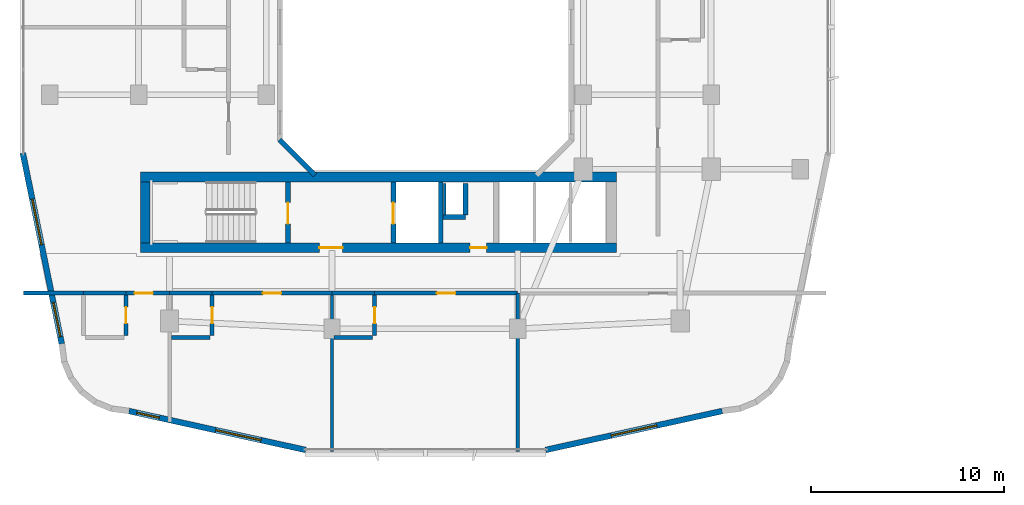
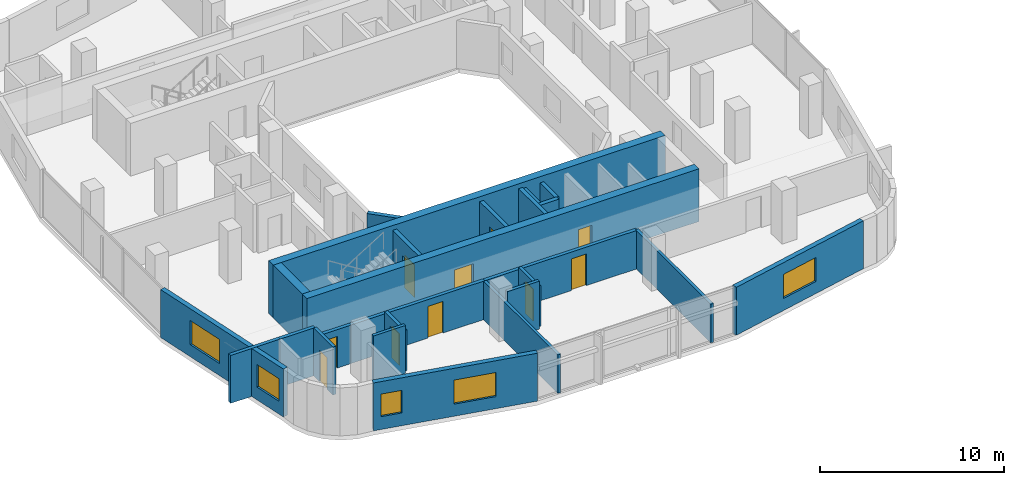
# One storey, part 12 of 25: 27 walls, 10 doors, 5 windows, 15 openings.
"""IFC4 building model written with IfcOpenShell, lengths in metres."""

from ifc_helpers import new_model, si_unit, derived_unit, direction, frame, frame_2d, origin, place, context, subcontext, project, spatial, rectangle, extrude, material, layer, layer_set, type_object, element, fill, save


model = new_model("IFC4")

# Units and contexts
model_context = context("Model", 3, precision=1e-05, world=origin(), true_north=direction((0.0, 1.0)))
body_context = subcontext(model_context, "Body", "Model", "MODEL_VIEW")
ifc_project = project(units=[si_unit("LENGTHUNIT", "METRE"), si_unit("AREAUNIT", "SQUARE_METRE"), si_unit("VOLUMEUNIT", "CUBIC_METRE"), si_unit("PLANEANGLEUNIT", "RADIAN"), si_unit("MASSUNIT", "GRAM", prefix="KILO"), derived_unit("THERMALTRANSMITTANCEUNIT", [(si_unit("POWERUNIT", "WATT"), 1), (si_unit("LENGTHUNIT", "METRE"), -2), (si_unit("THERMODYNAMICTEMPERATUREUNIT", "KELVIN"), -1)])], contexts=[model_context])

# Site, building, storey
site_placement = place(None, origin())
site = spatial("IfcSite", under=ifc_project, at=site_placement, CompositionType="ELEMENT")
building_placement = place(site_placement, origin())
building = spatial("IfcBuilding", under=site, at=building_placement, Name="Kivonza Crest Hotel", CompositionType="ELEMENT")
storey_placement = place(building_placement, frame((0.0, 0.0, 87.0)))
storey = spatial("IfcBuildingStorey", under=building, at=storey_placement, Name="L23", CompositionType="ELEMENT", Elevation=87.0)

# Walls
ifc_material_1 = material(Name="High-density acoustic masonry inter-tenancy wall", Category="masonry")
ifc_layer_1 = layer(ifc_material_1, 0.179931640625)
ifc_layer_set_1 = layer_set([ifc_layer_1], Name="High-density acoustic masonry inter-tenancy wall")
wall_type_1 = type_object("IfcWallType", Name="WL-ACOU-180", PredefinedType="SOLIDWALL", material=ifc_layer_set_1)
for number, where, z_axis, x_axis, name in (
    (1, (16.199951171875, 3.06005859375, 0.0), (0.0, 0.0, 1.0), (0.0, 1.0, 0.0), "L23 interior partition WA-L23-T1S-DIV2"),
    (2, (25.800048828125, 3.06005859375, 0.0), (0.0, 0.0, 1.0), (0.0, 1.0, 0.0), "L23 interior partition WA-L23-T1S-DIV3"),
):
    element("IfcWall", number, at=place(storey_placement, frame(where, z_axis=z_axis, x_axis=x_axis)), inside=storey, type_object=wall_type_1, Name=name, PredefinedType="SOLIDWALL", context=body_context, shape_type="SweptSolid", body=[
        extrude(rectangle(XDim=8.18994140625, YDim=0.179931640625, at=frame_2d((4.094970703125, 0.0))), origin(), (0.0, 0.0, 1.0), 2.554931640625),
    ])
ifc_material_2 = material(Name="Autoclaved aerated concrete blockwork", Category="masonry")
ifc_layer_2 = layer(ifc_material_2, 0.219970703125)
ifc_layer_set_2 = layer_set([ifc_layer_2], Name="Autoclaved aerated concrete blockwork")
wall_type_2 = type_object("IfcWallType", Name="WL-ACOU-220", PredefinedType="SOLIDWALL", material=ifc_layer_set_2)
wall_1_placement = place(storey_placement, frame((0.239990234375, 11.25, 0.0), z_axis=(0.0, 0.0, 1.0), x_axis=(1.0, 0.0, 0.0)))
element("IfcWall", 3, at=wall_1_placement, inside=storey, type_object=wall_type_2, Name="L23 interior partition WA-L23-S03-XCORR", PredefinedType="SOLIDWALL", context=body_context, shape_type="SweptSolid", body=[
    extrude(rectangle(XDim=3.110107421875, YDim=0.219970703125, at=frame_2d((1.55517578125, 0.0))), origin(), (0.0, 0.0, 1.0), 3.179931640625),
])
wall_2_placement = place(storey_placement, frame((3.35009765625, 11.25, 0.0), z_axis=(0.0, 0.0, 1.0), x_axis=(1.0, 0.0, 0.0)))
element("IfcWall", 4, at=wall_2_placement, inside=storey, type_object=wall_type_2, Name="L23 interior partition WA-L23-S03-BCORR", PredefinedType="SOLIDWALL", context=body_context, shape_type="SweptSolid", body=[
    extrude(rectangle(XDim=2.199951171875, YDim=0.219970703125, at=frame_2d((1.10009765625, 0.0))), origin(), (0.0, 0.0, 1.0), 3.179931640625),
])

# Wall, opening, door
wall_3_placement = place(storey_placement, frame((5.550048828125, 11.25, 0.0), z_axis=(0.0, 0.0, 1.0), x_axis=(1.0, 0.0, 0.0)))
wall_3 = element("IfcWall", 5, at=wall_3_placement, inside=storey, type_object=wall_type_2, Name="L23 interior partition WA-L23-S03-MCORR", PredefinedType="SOLIDWALL", context=body_context, shape_type="SweptSolid", body=[
    extrude(rectangle(XDim=2.25, YDim=0.219970703125, at=frame_2d((1.125, 0.0))), origin(), (0.0, 0.0, 1.0), 2.554931640625),
])
opening_1_placement = place(wall_3_placement, frame((0.43994140625, 0.0, 0.0)))
opening_1 = element("IfcOpeningElement", 6, at=opening_1_placement, cuts=wall_3, Name="Opening DU-60", PredefinedType="OPENING", context=body_context, shape_type="SweptSolid", body=[
    extrude(rectangle(XDim=0.949951171875, YDim=2.10009765625, at=frame_2d((0.47509765625, 1.050048828125))), frame((0.0, 0.1201171875, 0.0), z_axis=(0.0, -1.0, 0.0), x_axis=(1.0, 0.0, 0.0)), (0.0, 0.0, 1.0), 0.239990234375),
])
ifc_material_3 = material(Name="Hardwood timber oak", Category="wood")
door_type_1 = type_object("IfcDoorType", Name="DR-UNIT-950", OperationType="NOTDEFINED", PredefinedType="DOOR", material=ifc_material_3)
door_1_placement = place(opening_1_placement, frame((0.949951171875, 0.0, 0.0), z_axis=(0.0, 0.0, 1.0), x_axis=(-1.0, 0.0, 0.0)))
door_1 = element("IfcDoor", 7, at=door_1_placement, inside=storey, type_object=door_type_1, Name="L23 S03 guest unit entrance fire door", OperationType="SINGLE_SWING_LEFT", OverallHeight=2.10009765625, OverallWidth=0.949951171875, PredefinedType="DOOR", context=body_context, shape_type="SweptSolid", body=[
    extrude(rectangle(XDim=0.949951171875, YDim=2.10009765625, at=frame_2d((0.47509765625, 1.050048828125))), frame((0.0, 0.02490234375, 0.0), z_axis=(0.0, -1.0, 0.0), x_axis=(1.0, 0.0, 0.0)), (0.0, 0.0, 1.0), 0.050048828125),
])
fill(opening_1, door_1)

# Wall
wall_4_placement = place(storey_placement, frame((7.800048828125, 11.25, 0.0), z_axis=(0.0, 0.0, 1.0), x_axis=(1.0, 0.0, 0.0)))
element("IfcWall", 8, at=wall_4_placement, inside=storey, type_object=wall_type_2, Name="L23 interior partition WA-L23-S04-BCORR", PredefinedType="SOLIDWALL", context=body_context, shape_type="SweptSolid", body=[
    extrude(rectangle(XDim=2.199951171875, YDim=0.219970703125, at=frame_2d((1.10009765625, 0.0))), origin(), (0.0, 0.0, 1.0), 2.554931640625),
])

# Wall, opening, door
wall_5_placement = place(storey_placement, frame((10.0, 11.25, 0.0), z_axis=(0.0, 0.0, 1.0), x_axis=(1.0, 0.0, 0.0)))
wall_5 = element("IfcWall", 9, at=wall_5_placement, inside=storey, type_object=wall_type_2, Name="L23 interior partition WA-L23-S04-MCORR", PredefinedType="SOLIDWALL", context=body_context, shape_type="SweptSolid", body=[
    extrude(rectangle(XDim=6.199951171875, YDim=0.219970703125, at=frame_2d((3.10009765625, 0.0))), origin(), (0.0, 0.0, 1.0), 2.554931640625),
])
opening_2_placement = place(wall_5_placement, frame((2.625, 0.0, 0.0)))
opening_2 = element("IfcOpeningElement", 10, at=opening_2_placement, cuts=wall_5, Name="Opening DU-60", PredefinedType="OPENING", context=body_context, shape_type="SweptSolid", body=[
    extrude(rectangle(XDim=0.949951171875, YDim=2.10009765625, at=frame_2d((0.47509765625, 1.050048828125))), frame((0.0, 0.1201171875, 0.0), z_axis=(0.0, -1.0, 0.0), x_axis=(1.0, 0.0, 0.0)), (0.0, 0.0, 1.0), 0.239990234375),
])
door_2_placement = place(opening_2_placement, frame((0.949951171875, 0.0, 0.0), z_axis=(0.0, 0.0, 1.0), x_axis=(-1.0, 0.0, 0.0)))
door_2 = element("IfcDoor", 11, at=door_2_placement, inside=storey, type_object=door_type_1, Name="L23 S04 guest unit entrance fire door", OperationType="SINGLE_SWING_RIGHT", OverallHeight=2.10009765625, OverallWidth=0.949951171875, PredefinedType="DOOR", context=body_context, shape_type="SweptSolid", body=[
    extrude(rectangle(XDim=0.949951171875, YDim=2.10009765625, at=frame_2d((0.47509765625, 1.050048828125))), frame((0.0, 0.02490234375, 0.0), z_axis=(0.0, -1.0, 0.0), x_axis=(1.0, 0.0, 0.0)), (0.0, 0.0, 1.0), 0.050048828125),
])
fill(opening_2, door_2)

# Wall
wall_6_placement = place(storey_placement, frame((16.199951171875, 11.25, 0.0), z_axis=(0.0, 0.0, 1.0), x_axis=(1.0, 0.0, 0.0)))
element("IfcWall", 12, at=wall_6_placement, inside=storey, type_object=wall_type_2, Name="L23 interior partition WA-L23-S05-BCORR", PredefinedType="SOLIDWALL", context=body_context, shape_type="SweptSolid", body=[
    extrude(rectangle(XDim=2.199951171875, YDim=0.219970703125, at=frame_2d((1.10009765625, 0.0))), origin(), (0.0, 0.0, 1.0), 2.554931640625),
])

# Wall, opening, door
wall_7_placement = place(storey_placement, frame((18.39990234375, 11.25, 0.0), z_axis=(0.0, 0.0, 1.0), x_axis=(1.0, 0.0, 0.0)))
wall_7 = element("IfcWall", 13, at=wall_7_placement, inside=storey, type_object=wall_type_2, Name="L23 interior partition WA-L23-S05-MCORR", PredefinedType="SOLIDWALL", context=body_context, shape_type="SweptSolid", body=[
    extrude(rectangle(XDim=7.400146484375, YDim=0.219970703125, at=frame_2d((3.7001953125, 0.0))), origin(), (0.0, 0.0, 1.0), 2.554931640625),
])
opening_3_placement = place(wall_7_placement, frame((3.22509765625, 0.0, 0.0)))
opening_3 = element("IfcOpeningElement", 14, at=opening_3_placement, cuts=wall_7, Name="Opening DU-60", PredefinedType="OPENING", context=body_context, shape_type="SweptSolid", body=[
    extrude(rectangle(XDim=0.949951171875, YDim=2.10009765625, at=frame_2d((0.47509765625, 1.050048828125))), frame((0.0, 0.1201171875, 0.0), z_axis=(0.0, -1.0, 0.0), x_axis=(1.0, 0.0, 0.0)), (0.0, 0.0, 1.0), 0.239990234375),
])
door_3_placement = place(opening_3_placement, frame((0.949951171875, 0.0, 0.0), z_axis=(0.0, 0.0, 1.0), x_axis=(-1.0, 0.0, 0.0)))
door_3 = element("IfcDoor", 15, at=door_3_placement, inside=storey, type_object=door_type_1, Name="L23 S05 guest unit entrance fire door", OperationType="SINGLE_SWING_LEFT", OverallHeight=2.10009765625, OverallWidth=0.949951171875, PredefinedType="DOOR", context=body_context, shape_type="SweptSolid", body=[
    extrude(rectangle(XDim=0.949951171875, YDim=2.10009765625, at=frame_2d((0.47509765625, 1.050048828125))), frame((0.0, 0.02490234375, 0.0), z_axis=(0.0, -1.0, 0.0), x_axis=(1.0, 0.0, 0.0)), (0.0, 0.0, 1.0), 0.050048828125),
])
fill(opening_3, door_3)

# Wall, openings, doors
ifc_material_4 = material(Name="Concrete C60/75", Category="concrete")
ifc_layer_3 = layer(ifc_material_4, 0.5)
ifc_layer_set_3 = layer_set([ifc_layer_3], Name="Concrete C60/75")
wall_type_3 = type_object("IfcWallType", Name="WL-CORE-500", PredefinedType="SHEAR", material=ifc_layer_set_3)
wall_8_placement = place(storey_placement, frame((6.300048828125, 13.590087890625, 0.0), z_axis=(0.0, 0.0, 1.0), x_axis=(1.0, 0.0, 0.0)))
wall_8 = element("IfcWall", 16, at=wall_8_placement, inside=storey, type_object=wall_type_3, Name="Core wall T1-S South L23", PredefinedType="SHEAR", context=body_context, shape_type="SweptSolid", body=[
    extrude(rectangle(XDim=24.599853515625, YDim=0.5, at=frame_2d((12.2998046875, 0.0))), origin(), (0.0, 0.0, 1.0), 3.5),
])
opening_4_placement = place(wall_8_placement, frame((9.25, 0.0, 0.0)))
opening_4 = element("IfcOpeningElement", 17, at=opening_4_placement, cuts=wall_8, Name="Opening DF-60", PredefinedType="OPENING", context=body_context, shape_type="SweptSolid", body=[
    extrude(rectangle(XDim=1.199951171875, YDim=2.14990234375, at=frame_2d((0.60009765625, 1.074951171875))), frame((0.0, 0.260009765625, 0.0), z_axis=(0.0, -1.0, 0.0), x_axis=(1.0, 0.0, 0.0)), (0.0, 0.0, 1.0), 0.52001953125),
])
opening_5_placement = place(wall_8_placement, frame((17.0400390625, 0.0, 0.0)))
opening_5 = element("IfcOpeningElement", 18, at=opening_5_placement, cuts=wall_8, Name="Opening DF-60R", PredefinedType="OPENING", context=body_context, shape_type="SweptSolid", body=[
    extrude(rectangle(XDim=0.85009765625, YDim=2.10009765625, at=frame_2d((0.425048828125, 1.050048828125))), frame((0.0, 0.260009765625, 0.0), z_axis=(0.0, -1.0, 0.0), x_axis=(1.0, 0.0, 0.0)), (0.0, 0.0, 1.0), 0.52001953125),
])
door_type_2 = type_object("IfcDoorType", Name="DR-FD60-1200", OperationType="NOTDEFINED", PredefinedType="DOOR", material=ifc_material_3)
door_4_placement = place(opening_4_placement, frame((1.199951171875, 0.0, 0.0), z_axis=(0.0, 0.0, 1.0), x_axis=(-1.0, 0.0, 0.0)))
door_4 = element("IfcDoor", 19, at=door_4_placement, inside=storey, type_object=door_type_2, Name="L23 T1-S firefighting lobby fire door", OperationType="SINGLE_SWING_LEFT", OverallHeight=2.14990234375, OverallWidth=1.199951171875, PredefinedType="DOOR", context=body_context, shape_type="SweptSolid", body=[
    extrude(rectangle(XDim=1.199951171875, YDim=2.14990234375, at=frame_2d((0.60009765625, 1.074951171875))), frame((0.0, 0.02490234375, 0.0), z_axis=(0.0, -1.0, 0.0), x_axis=(1.0, 0.0, 0.0)), (0.0, 0.0, 1.0), 0.050048828125),
])
fill(opening_4, door_4)
door_type_3 = type_object("IfcDoorType", Name="DR-FD60-850", OperationType="NOTDEFINED", PredefinedType="DOOR", material=ifc_material_3)
door_5_placement = place(opening_5_placement, frame((0.85009765625, 0.0, 0.0), z_axis=(0.0, 0.0, 1.0), x_axis=(-1.0, 0.0, 0.0)))
door_5 = element("IfcDoor", 20, at=door_5_placement, inside=storey, type_object=door_type_3, Name="L23 T1-S core room door", OperationType="SINGLE_SWING_RIGHT", OverallHeight=2.10009765625, OverallWidth=0.85009765625, PredefinedType="DOOR", context=body_context, shape_type="SweptSolid", body=[
    extrude(rectangle(XDim=0.85009765625, YDim=2.10009765625, at=frame_2d((0.425048828125, 1.050048828125))), frame((0.0, 0.02490234375, 0.0), z_axis=(0.0, -1.0, 0.0), x_axis=(1.0, 0.0, 0.0)), (0.0, 0.0, 1.0), 0.050048828125),
])
fill(opening_5, door_5)

# Walls
wall_9_placement = place(storey_placement, frame((6.300048828125, 17.25, 0.0), z_axis=(0.0, 0.0, 1.0), x_axis=(1.0, 0.0, 0.0)))
element("IfcWall", 21, at=wall_9_placement, inside=storey, type_object=wall_type_3, Name="Core wall T1-S North L23", PredefinedType="SHEAR", context=body_context, shape_type="SweptSolid", body=[
    extrude(rectangle(XDim=24.599853515625, YDim=0.5, at=frame_2d((12.2998046875, 0.0))), origin(), (0.0, 0.0, 1.0), 3.5),
])
wall_10_placement = place(storey_placement, frame((6.550048828125, 13.840087890625, 0.0), z_axis=(0.0, 0.0, 1.0), x_axis=(0.0, 1.0, 0.0)))
element("IfcWall", 22, at=wall_10_placement, inside=storey, type_object=wall_type_3, Name="Core wall T1-S West L23", PredefinedType="SHEAR", context=body_context, shape_type="SweptSolid", body=[
    extrude(rectangle(XDim=3.159912109375, YDim=0.5, at=frame_2d((1.580078125, 0.0))), origin(), (0.0, 0.0, 1.0), 3.5),
])
ifc_material_5 = material(Name="Precast concrete C40/50", Category="concrete")
ifc_layer_4 = layer(ifc_material_5, 0.260009765625)
ifc_layer_set_4 = layer_set([ifc_layer_4], Name="Precast concrete C40/50")
wall_type_4 = type_object("IfcWallType", Name="WL-EXT-260", PredefinedType="STANDARD", material=ifc_layer_set_4)
wall_11_placement = place(storey_placement, frame((13.48388671875, 19.172119140625, 0.0), z_axis=(0.0, 0.0, 1.0), x_axis=(0.707106781187, -0.707106781187, 0.0)))
element("IfcWall", 23, at=wall_11_placement, inside=storey, type_object=wall_type_4, Name="L23 T1 light-well exterior wall 8", PredefinedType="STANDARD", context=body_context, shape_type="SweptSolid", body=[
    extrude(rectangle(XDim=2.593994140625, YDim=0.260009765625, at=frame_2d((1.296875, 0.0))), origin(), (0.0, 0.0, 1.0), 3.179931640625),
])

# Wall, openings, windows
ifc_layer_5 = layer(ifc_material_5, 0.300048828125)
ifc_layer_set_5 = layer_set([ifc_layer_5], Name="Precast concrete C40/50")
wall_type_5 = type_object("IfcWallType", Name="WL-EXT-300", PredefinedType="STANDARD", material=ifc_layer_set_5)
wall_12_placement = place(storey_placement, frame((5.7041015625, 5.14794921875, 0.0), z_axis=(0.0, 0.0, 1.0), x_axis=(0.9765437942, -0.215318875183, 0.0)))
wall_12 = element("IfcWall", 24, at=wall_12_placement, inside=storey, type_object=wall_type_5, Name="L23 T1 exterior insulated wall 7", PredefinedType="STANDARD", context=body_context, shape_type="SweptSolid", body=[
    extrude(rectangle(XDim=9.353271484375, YDim=0.300048828125, at=frame_2d((4.6767578125, 0.0))), origin(), (0.0, 0.0, 1.0), 3.179931640625),
])
opening_6_placement = place(wall_12_placement, frame((0.407958984375, 0.0, 0.85009765625)))
opening_6 = element("IfcOpeningElement", 25, at=opening_6_placement, cuts=wall_12, Name="Opening WN-01", PredefinedType="OPENING", context=body_context, shape_type="SweptSolid", body=[
    extrude(rectangle(XDim=1.199951171875, YDim=1.5, at=frame_2d((0.60009765625, 0.75))), frame((0.0, 0.16015625, 0.0), z_axis=(0.0, -1.0, 0.0), x_axis=(1.0, 0.0, 0.0)), (0.0, 0.0, 1.0), 0.320068359375),
])
opening_7_placement = place(wall_12_placement, frame((4.590087890625, 0.0, 0.800048828125)))
opening_7 = element("IfcOpeningElement", 26, at=opening_7_placement, cuts=wall_12, Name="Opening WN-05", PredefinedType="OPENING", context=body_context, shape_type="SweptSolid", body=[
    extrude(rectangle(XDim=2.39990234375, YDim=1.60009765625, at=frame_2d((1.199951171875, 0.800048828125))), frame((0.0, 0.16015625, 0.0), z_axis=(0.0, -1.0, 0.0), x_axis=(1.0, 0.0, 0.0)), (0.0, 0.0, 1.0), 0.320068359375),
])
ifc_material_6 = material(Name="Thermally broken bronze aluminium and low-E double glazing", Category="aluminium")
window_type_1 = type_object("IfcWindowType", Name="WN-120x150", PartitioningType="SINGLE_PANEL", PredefinedType="WINDOW", material=ifc_material_6)
window_1_placement = place(opening_6_placement, origin())
window_1 = element("IfcWindow", 27, at=window_1_placement, inside=storey, type_object=window_type_1, Name="L23 T1 facade window 7 bay 1", OverallHeight=1.5, OverallWidth=1.199951171875, PartitioningType="SINGLE_PANEL", PredefinedType="WINDOW", context=body_context, shape_type="SweptSolid", body=[
    extrude(rectangle(XDim=1.199951171875, YDim=1.5, at=frame_2d((0.60009765625, 0.75))), frame((0.0, 0.030029296875, 0.0), z_axis=(0.0, -1.0, 0.0), x_axis=(1.0, 0.0, 0.0)), (0.0, 0.0, 1.0), 0.06005859375),
])
fill(opening_6, window_1)
window_type_2 = type_object("IfcWindowType", Name="WN-240x160", PartitioningType="TRIPLE_PANEL_VERTICAL", PredefinedType="WINDOW", material=ifc_material_6)
window_2_placement = place(opening_7_placement, origin())
window_2 = element("IfcWindow", 28, at=window_2_placement, inside=storey, type_object=window_type_2, Name="L23 T1 facade window 7 bay 2", OverallHeight=1.60009765625, OverallWidth=2.39990234375, PartitioningType="SINGLE_PANEL", PredefinedType="WINDOW", context=body_context, shape_type="SweptSolid", body=[
    extrude(rectangle(XDim=2.39990234375, YDim=1.60009765625, at=frame_2d((1.199951171875, 0.800048828125))), frame((0.0, 0.030029296875, 0.0), z_axis=(0.0, -1.0, 0.0), x_axis=(1.0, 0.0, 0.0)), (0.0, 0.0, 1.0), 0.06005859375),
])
fill(opening_7, window_2)

# Wall, opening, window
wall_13_placement = place(storey_placement, frame((27.241943359375, 3.134033203125, 0.0), z_axis=(0.0, 0.0, 1.0), x_axis=(0.97654500432, 0.215313386808, 0.0)))
wall_13 = element("IfcWall", 29, at=wall_13_placement, inside=storey, type_object=wall_type_5, Name="L23 T1 exterior insulated wall 9", PredefinedType="STANDARD", context=body_context, shape_type="SweptSolid", body=[
    extrude(rectangle(XDim=9.353515625, YDim=0.300048828125, at=frame_2d((4.6767578125, 0.0))), origin(), (0.0, 0.0, 1.0), 3.179931640625),
])
opening_8_placement = place(wall_13_placement, frame((3.47705078125, 0.0, 0.800048828125)))
opening_8 = element("IfcOpeningElement", 30, at=opening_8_placement, cuts=wall_13, Name="Opening WN-05", PredefinedType="OPENING", context=body_context, shape_type="SweptSolid", body=[
    extrude(rectangle(XDim=2.39990234375, YDim=1.60009765625, at=frame_2d((1.199951171875, 0.800048828125))), frame((0.0, 0.16015625, 0.0), z_axis=(0.0, -1.0, 0.0), x_axis=(1.0, 0.0, 0.0)), (0.0, 0.0, 1.0), 0.320068359375),
])
window_3_placement = place(opening_8_placement, origin())
window_3 = element("IfcWindow", 31, at=window_3_placement, inside=storey, type_object=window_type_2, Name="L23 T1 facade window 9", OverallHeight=1.60009765625, OverallWidth=2.39990234375, PartitioningType="SINGLE_PANEL", PredefinedType="WINDOW", context=body_context, shape_type="SweptSolid", body=[
    extrude(rectangle(XDim=2.39990234375, YDim=1.60009765625, at=frame_2d((1.199951171875, 0.800048828125))), frame((0.0, 0.030029296875, 0.0), z_axis=(0.0, -1.0, 0.0), x_axis=(1.0, 0.0, 0.0)), (0.0, 0.0, 1.0), 0.06005859375),
])
fill(opening_8, window_3)

# Wall, openings, windows
wall_14_placement = place(storey_placement, frame((0.216064453125, 18.48388671875, 0.0), z_axis=(0.0, 0.0, 1.0), x_axis=(0.199990901713, -0.979797754249, 0.0)))
wall_14 = element("IfcWall", 32, at=wall_14_placement, inside=storey, type_object=wall_type_5, Name="L23 T1 exterior insulated wall 36", PredefinedType="STANDARD", context=body_context, shape_type="SweptSolid", body=[
    extrude(rectangle(XDim=10.065185546875, YDim=0.300048828125, at=frame_2d((5.03271484375, 0.0))), origin(), (0.0, 0.0, 1.0), 3.179931640625),
])
opening_9_placement = place(wall_14_placement, frame((2.428955078125, 0.0, 0.800048828125)))
opening_9 = element("IfcOpeningElement", 33, at=opening_9_placement, cuts=wall_14, Name="Opening WN-05", PredefinedType="OPENING", context=body_context, shape_type="SweptSolid", body=[
    extrude(rectangle(XDim=2.39990234375, YDim=1.60009765625, at=frame_2d((1.199951171875, 0.800048828125))), frame((0.0, 0.16015625, 0.0), z_axis=(0.0, -1.0, 0.0), x_axis=(1.0, 0.0, 0.0)), (0.0, 0.0, 1.0), 0.320068359375),
])
opening_10_placement = place(wall_14_placement, frame((7.886962890625, 0.0, 0.85009765625)))
opening_10 = element("IfcOpeningElement", 34, at=opening_10_placement, cuts=wall_14, Name="Opening WN-03", PredefinedType="OPENING", context=body_context, shape_type="SweptSolid", body=[
    extrude(rectangle(XDim=1.800048828125, YDim=1.5, at=frame_2d((0.89990234375, 0.75))), frame((0.0, 0.16015625, 0.0), z_axis=(0.0, -1.0, 0.0), x_axis=(1.0, 0.0, 0.0)), (0.0, 0.0, 1.0), 0.320068359375),
])
window_type_3 = type_object("IfcWindowType", Name="WN-180x150", PartitioningType="DOUBLE_PANEL_VERTICAL", PredefinedType="WINDOW", material=ifc_material_6)
window_4_placement = place(opening_10_placement, origin())
window_4 = element("IfcWindow", 35, at=window_4_placement, inside=storey, type_object=window_type_3, Name="L23 T1 facade window 36 bay 2", OverallHeight=1.5, OverallWidth=1.800048828125, PartitioningType="SINGLE_PANEL", PredefinedType="WINDOW", context=body_context, shape_type="SweptSolid", body=[
    extrude(rectangle(XDim=1.800048828125, YDim=1.5, at=frame_2d((0.89990234375, 0.75))), frame((0.0, 0.030029296875, 0.0), z_axis=(0.0, -1.0, 0.0), x_axis=(1.0, 0.0, 0.0)), (0.0, 0.0, 1.0), 0.06005859375),
])
fill(opening_10, window_4)
window_5_placement = place(opening_9_placement, origin())
window_5 = element("IfcWindow", 36, at=window_5_placement, inside=storey, type_object=window_type_2, Name="L23 T1 facade window 36 bay 1", OverallHeight=1.60009765625, OverallWidth=2.39990234375, PartitioningType="SINGLE_PANEL", PredefinedType="WINDOW", context=body_context, shape_type="SweptSolid", body=[
    extrude(rectangle(XDim=2.39990234375, YDim=1.60009765625, at=frame_2d((1.199951171875, 0.800048828125))), frame((0.0, 0.030029296875, 0.0), z_axis=(0.0, -1.0, 0.0), x_axis=(1.0, 0.0, 0.0)), (0.0, 0.0, 1.0), 0.06005859375),
])
fill(opening_9, window_5)

# Walls
ifc_material_7 = material(Name="Concrete blockwork fire-compartment wall", Category="masonry")
ifc_layer_6 = layer(ifc_material_7, 0.25)
ifc_layer_set_6 = layer_set([ifc_layer_6], Name="Concrete blockwork fire-compartment wall")
wall_type_6 = type_object("IfcWallType", Name="WL-FIRE-250", PredefinedType="SOLIDWALL", material=ifc_layer_set_6)
wall_15_placement = place(storey_placement, frame((23.10009765625, 15.280029296875, 0.0), z_axis=(0.0, 0.0, 1.0), x_axis=(0.0, 1.0, 0.0)))
element("IfcWall", 37, at=wall_15_placement, inside=storey, type_object=wall_type_6, Name="L23 interior partition WA-L23-T1-S-MEPR-E", PredefinedType="SOLIDWALL", context=body_context, shape_type="SweptSolid", body=[
    extrude(rectangle(XDim=1.619873046875, YDim=0.25, at=frame_2d((0.81005859375, 0.0))), origin(), (0.0, 0.0, 1.0), 3.179931640625),
])
wall_16_placement = place(storey_placement, frame((21.949951171875, 15.179931640625, 0.0), z_axis=(0.0, 0.0, 1.0), x_axis=(1.0, 0.0, 0.0)))
element("IfcWall", 38, at=wall_16_placement, inside=storey, type_object=wall_type_6, Name="L23 interior partition WA-L23-T1-S-MEPR-H", PredefinedType="SOLIDWALL", context=body_context, shape_type="SweptSolid", body=[
    extrude(rectangle(XDim=1.150146484375, YDim=0.25, at=frame_2d((0.5751953125, 0.0))), origin(), (0.0, 0.0, 1.0), 3.179931640625),
])
ifc_material_8 = material(Name="Twin-stud acoustic gypsum board partition", Category="gypsum")
ifc_layer_7 = layer(ifc_material_8, 0.14990234375)
ifc_layer_set_7 = layer_set([ifc_layer_7], Name="Twin-stud acoustic gypsum board partition")
wall_type_7 = type_object("IfcWallType", Name="WL-PART-150", PredefinedType="PARTITIONING", material=ifc_layer_set_7)
wall_17_placement = place(storey_placement, frame((22.030029296875, 15.280029296875, 0.0), z_axis=(0.0, 0.0, 1.0), x_axis=(0.0, 1.0, 0.0)))
element("IfcWall", 39, at=wall_17_placement, inside=storey, type_object=wall_type_7, Name="L23 interior partition WA-L23-T1-S-MEPR-W", PredefinedType="PARTITIONING", context=body_context, shape_type="SweptSolid", body=[
    extrude(rectangle(XDim=1.619873046875, YDim=0.14990234375, at=frame_2d((0.81005859375, 0.0))), origin(), (0.0, 0.0, 1.0), 3.179931640625),
])

# Wall, opening, door
ifc_material_9 = material(Name="Moisture-resistant plumbing chase partition wall", Category="gypsum")
ifc_layer_8 = layer(ifc_material_9, 0.199951171875)
ifc_layer_set_8 = layer_set([ifc_layer_8], Name="Moisture-resistant plumbing chase partition wall")
wall_type_8 = type_object("IfcWallType", Name="WL-PLUMB-200", PredefinedType="PLUMBINGWALL", material=ifc_layer_set_8)
wall_18_placement = place(storey_placement, frame((5.550048828125, 9.050048828125, 0.0), z_axis=(0.0, 0.0, 1.0), x_axis=(0.0, 1.0, 0.0)))
wall_18 = element("IfcWall", 40, at=wall_18_placement, inside=storey, type_object=wall_type_8, Name="L23 interior partition WW-L23-S03-BV", PredefinedType="PLUMBINGWALL", context=body_context, shape_type="SweptSolid", body=[
    extrude(rectangle(XDim=2.099853515625, YDim=0.199951171875, at=frame_2d((1.0498046875, 0.0))), origin(), (0.0, 0.0, 1.0), 3.179931640625),
])
opening_11_placement = place(wall_18_placement, frame((0.625, 0.0, 0.0)))
opening_11 = element("IfcOpeningElement", 41, at=opening_11_placement, cuts=wall_18, Name="Opening DI-85", PredefinedType="OPENING", context=body_context, shape_type="SweptSolid", body=[
    extrude(rectangle(XDim=0.85009765625, YDim=2.10009765625, at=frame_2d((0.425048828125, 1.050048828125))), frame((0.0, 0.10986328125, 0.0), z_axis=(0.0, -1.0, 0.0), x_axis=(1.0, 0.0, 0.0)), (0.0, 0.0, 1.0), 0.219970703125),
])
door_type_4 = type_object("IfcDoorType", Name="DR-INT-850", OperationType="NOTDEFINED", PredefinedType="DOOR", material=ifc_material_3)
door_6_placement = place(opening_11_placement, frame((0.85009765625, 0.0, 0.0), z_axis=(0.0, 0.0, 1.0), x_axis=(-1.0, 0.0, 0.0)))
door_6 = element("IfcDoor", 42, at=door_6_placement, inside=storey, type_object=door_type_4, Name="L23 S03 en-suite bathroom door", OperationType="SINGLE_SWING_RIGHT", OverallHeight=2.10009765625, OverallWidth=0.85009765625, PredefinedType="DOOR", context=body_context, shape_type="SweptSolid", body=[
    extrude(rectangle(XDim=0.85009765625, YDim=2.10009765625, at=frame_2d((0.425048828125, 1.050048828125))), frame((0.0, 0.02490234375, 0.0), z_axis=(0.0, -1.0, 0.0), x_axis=(1.0, 0.0, 0.0)), (0.0, 0.0, 1.0), 0.050048828125),
])
fill(opening_11, door_6)

wall_19_placement = place(storey_placement, frame((10.0, 9.050048828125, 0.0), z_axis=(0.0, 0.0, 1.0), x_axis=(0.0, 1.0, 0.0)))
wall_19 = element("IfcWall", 43, at=wall_19_placement, inside=storey, type_object=wall_type_8, Name="L23 interior partition WW-L23-S04-BV", PredefinedType="PLUMBINGWALL", context=body_context, shape_type="SweptSolid", body=[
    extrude(rectangle(XDim=2.099853515625, YDim=0.199951171875, at=frame_2d((1.0498046875, 0.0))), origin(), (0.0, 0.0, 1.0), 2.705078125),
])
opening_12_placement = place(wall_19_placement, frame((0.625, 0.0, 0.0)))
opening_12 = element("IfcOpeningElement", 44, at=opening_12_placement, cuts=wall_19, Name="Opening DI-85", PredefinedType="OPENING", context=body_context, shape_type="SweptSolid", body=[
    extrude(rectangle(XDim=0.85009765625, YDim=2.10009765625, at=frame_2d((0.425048828125, 1.050048828125))), frame((0.0, 0.10986328125, 0.0), z_axis=(0.0, -1.0, 0.0), x_axis=(1.0, 0.0, 0.0)), (0.0, 0.0, 1.0), 0.219970703125),
])
door_7_placement = place(opening_12_placement, frame((0.85009765625, 0.0, 0.0), z_axis=(0.0, 0.0, 1.0), x_axis=(-1.0, 0.0, 0.0)))
door_7 = element("IfcDoor", 45, at=door_7_placement, inside=storey, type_object=door_type_4, Name="L23 S04 en-suite bathroom door", OperationType="SINGLE_SWING_LEFT", OverallHeight=2.10009765625, OverallWidth=0.85009765625, PredefinedType="DOOR", context=body_context, shape_type="SweptSolid", body=[
    extrude(rectangle(XDim=0.85009765625, YDim=2.10009765625, at=frame_2d((0.425048828125, 1.050048828125))), frame((0.0, 0.02490234375, 0.0), z_axis=(0.0, -1.0, 0.0), x_axis=(1.0, 0.0, 0.0)), (0.0, 0.0, 1.0), 0.050048828125),
])
fill(opening_12, door_7)

# Wall
wall_20_placement = place(storey_placement, frame((7.89990234375, 8.949951171875, 0.0), z_axis=(0.0, 0.0, 1.0), x_axis=(1.0, 0.0, 0.0)))
element("IfcWall", 46, at=wall_20_placement, inside=storey, type_object=wall_type_8, Name="L23 interior partition WW-L23-S04-BH", PredefinedType="PLUMBINGWALL", context=body_context, shape_type="SweptSolid", body=[
    extrude(rectangle(XDim=2.0, YDim=0.199951171875, at=frame_2d((1.0, 0.0))), origin(), (0.0, 0.0, 1.0), 3.179931640625),
])

# Wall, opening, door
wall_21_placement = place(storey_placement, frame((18.39990234375, 9.050048828125, 0.0), z_axis=(0.0, 0.0, 1.0), x_axis=(0.0, 1.0, 0.0)))
wall_21 = element("IfcWall", 47, at=wall_21_placement, inside=storey, type_object=wall_type_8, Name="L23 interior partition WW-L23-S05-BV", PredefinedType="PLUMBINGWALL", context=body_context, shape_type="SweptSolid", body=[
    extrude(rectangle(XDim=2.099853515625, YDim=0.199951171875, at=frame_2d((1.0498046875, 0.0))), origin(), (0.0, 0.0, 1.0), 2.705078125),
])
opening_13_placement = place(wall_21_placement, frame((0.625, 0.0, 0.0)))
opening_13 = element("IfcOpeningElement", 48, at=opening_13_placement, cuts=wall_21, Name="Opening DI-85", PredefinedType="OPENING", context=body_context, shape_type="SweptSolid", body=[
    extrude(rectangle(XDim=0.85009765625, YDim=2.10009765625, at=frame_2d((0.425048828125, 1.050048828125))), frame((0.0, 0.10986328125, 0.0), z_axis=(0.0, -1.0, 0.0), x_axis=(1.0, 0.0, 0.0)), (0.0, 0.0, 1.0), 0.219970703125),
])
door_8_placement = place(opening_13_placement, frame((0.85009765625, 0.0, 0.0), z_axis=(0.0, 0.0, 1.0), x_axis=(-1.0, 0.0, 0.0)))
door_8 = element("IfcDoor", 49, at=door_8_placement, inside=storey, type_object=door_type_4, Name="L23 S05 en-suite bathroom door", OperationType="SINGLE_SWING_RIGHT", OverallHeight=2.10009765625, OverallWidth=0.85009765625, PredefinedType="DOOR", context=body_context, shape_type="SweptSolid", body=[
    extrude(rectangle(XDim=0.85009765625, YDim=2.10009765625, at=frame_2d((0.425048828125, 1.050048828125))), frame((0.0, 0.02490234375, 0.0), z_axis=(0.0, -1.0, 0.0), x_axis=(1.0, 0.0, 0.0)), (0.0, 0.0, 1.0), 0.050048828125),
])
fill(opening_13, door_8)

# Wall
wall_22_placement = place(storey_placement, frame((16.300048828125, 8.949951171875, 0.0), z_axis=(0.0, 0.0, 1.0), x_axis=(1.0, 0.0, 0.0)))
element("IfcWall", 50, at=wall_22_placement, inside=storey, type_object=wall_type_8, Name="L23 interior partition WW-L23-S05-BH", PredefinedType="PLUMBINGWALL", context=body_context, shape_type="SweptSolid", body=[
    extrude(rectangle(XDim=2.0, YDim=0.199951171875, at=frame_2d((1.0, 0.0))), origin(), (0.0, 0.0, 1.0), 3.179931640625),
])

# Wall, opening, door
ifc_material_10 = material(Name="Concrete C50/60", Category="concrete")
ifc_layer_9 = layer(ifc_material_10, 0.25)
ifc_layer_set_9 = layer_set([ifc_layer_9], Name="Concrete C50/60")
wall_type_9 = type_object("IfcWallType", Name="WL-SHAFT-250", PredefinedType="STANDARD", material=ifc_layer_set_9)
wall_23_placement = place(storey_placement, frame((13.925048828125, 13.840087890625, 0.0), z_axis=(0.0, 0.0, 1.0), x_axis=(0.0, 1.0, 0.0)))
wall_23 = element("IfcWall", 51, at=wall_23_placement, inside=storey, type_object=wall_type_9, Name="Core shaft wall T1-S STAIR L23", PredefinedType="STANDARD", context=body_context, shape_type="SweptSolid", body=[
    extrude(rectangle(XDim=3.159912109375, YDim=0.25, at=frame_2d((1.580078125, 0.0))), origin(), (0.0, 0.0, 1.0), 3.179931640625),
])
opening_14_placement = place(wall_23_placement, frame((0.97998046875, 0.0, 0.0)))
opening_14 = element("IfcOpeningElement", 52, at=opening_14_placement, cuts=wall_23, Name="Opening DF-120", PredefinedType="OPENING", context=body_context, shape_type="SweptSolid", body=[
    extrude(rectangle(XDim=1.10009765625, YDim=2.14990234375, at=frame_2d((0.550048828125, 1.074951171875))), frame((0.0, 0.135009765625, 0.0), z_axis=(0.0, -1.0, 0.0), x_axis=(1.0, 0.0, 0.0)), (0.0, 0.0, 1.0), 0.27001953125),
])
ifc_material_11 = material(Name="Galvanised steel", Category="steel")
door_type_5 = type_object("IfcDoorType", Name="DR-FD120-1100", OperationType="NOTDEFINED", PredefinedType="DOOR", material=ifc_material_11)
door_9_placement = place(opening_14_placement, frame((1.10009765625, 0.0, 0.0), z_axis=(0.0, 0.0, 1.0), x_axis=(-1.0, 0.0, 0.0)))
door_9 = element("IfcDoor", 53, at=door_9_placement, inside=storey, type_object=door_type_5, Name="L23 T1-S stair fire door", OperationType="SINGLE_SWING_RIGHT", OverallHeight=2.14990234375, OverallWidth=1.10009765625, PredefinedType="DOOR", context=body_context, shape_type="SweptSolid", body=[
    extrude(rectangle(XDim=1.10009765625, YDim=2.14990234375, at=frame_2d((0.550048828125, 1.074951171875))), frame((0.0, 0.02490234375, 0.0), z_axis=(0.0, -1.0, 0.0), x_axis=(1.0, 0.0, 0.0)), (0.0, 0.0, 1.0), 0.050048828125),
])
fill(opening_14, door_9)

wall_24_placement = place(storey_placement, frame((19.375, 13.840087890625, 0.0), z_axis=(0.0, 0.0, 1.0), x_axis=(0.0, 1.0, 0.0)))
wall_24 = element("IfcWall", 54, at=wall_24_placement, inside=storey, type_object=wall_type_9, Name="Core shaft wall T1-S FFL-W L23", PredefinedType="STANDARD", context=body_context, shape_type="SweptSolid", body=[
    extrude(rectangle(XDim=3.159912109375, YDim=0.25, at=frame_2d((1.580078125, 0.0))), origin(), (0.0, 0.0, 1.0), 3.179931640625),
])
opening_15_placement = place(wall_24_placement, frame((0.97998046875, 0.0, 0.0)))
opening_15 = element("IfcOpeningElement", 55, at=opening_15_placement, cuts=wall_24, Name="Opening LD-120", PredefinedType="OPENING", context=body_context, shape_type="SweptSolid", body=[
    extrude(rectangle(XDim=1.10009765625, YDim=2.14990234375, at=frame_2d((0.550048828125, 1.074951171875))), frame((0.0, 0.135009765625, 0.0), z_axis=(0.0, -1.0, 0.0), x_axis=(1.0, 0.0, 0.0)), (0.0, 0.0, 1.0), 0.27001953125),
])
ifc_material_12 = material(Name="Stainless steel", Category="steel")
door_type_6 = type_object("IfcDoorType", Name="DR-LD120-1100", OperationType="NOTDEFINED", PredefinedType="DOOR", material=ifc_material_12)
door_10_placement = place(opening_15_placement, origin())
door_10 = element("IfcDoor", 56, at=door_10_placement, inside=storey, type_object=door_type_6, Name="L23 FFL-T1-S firefighting lift sliding landing door", OperationType="DOUBLE_DOOR_SLIDING", OverallHeight=2.14990234375, OverallWidth=1.10009765625, PredefinedType="DOOR", context=body_context, shape_type="SweptSolid", body=[
    extrude(rectangle(XDim=1.10009765625, YDim=2.14990234375, at=frame_2d((0.550048828125, 1.074951171875))), frame((0.0, 0.02490234375, 0.0), z_axis=(0.0, -1.0, 0.0), x_axis=(1.0, 0.0, 0.0)), (0.0, 0.0, 1.0), 0.050048828125),
])
fill(opening_15, door_10)

# Wall
wall_25_placement = place(storey_placement, frame((21.824951171875, 13.840087890625, 0.0), z_axis=(0.0, 0.0, 1.0), x_axis=(0.0, 1.0, 0.0)))
element("IfcWall", 57, at=wall_25_placement, inside=storey, type_object=wall_type_9, Name="Core shaft wall T1-S FFL-E L23", PredefinedType="STANDARD", context=body_context, shape_type="SweptSolid", body=[
    extrude(rectangle(XDim=3.159912109375, YDim=0.25, at=frame_2d((1.580078125, 0.0))), origin(), (0.0, 0.0, 1.0), 3.179931640625),
])

save(model, "model.ifc")
